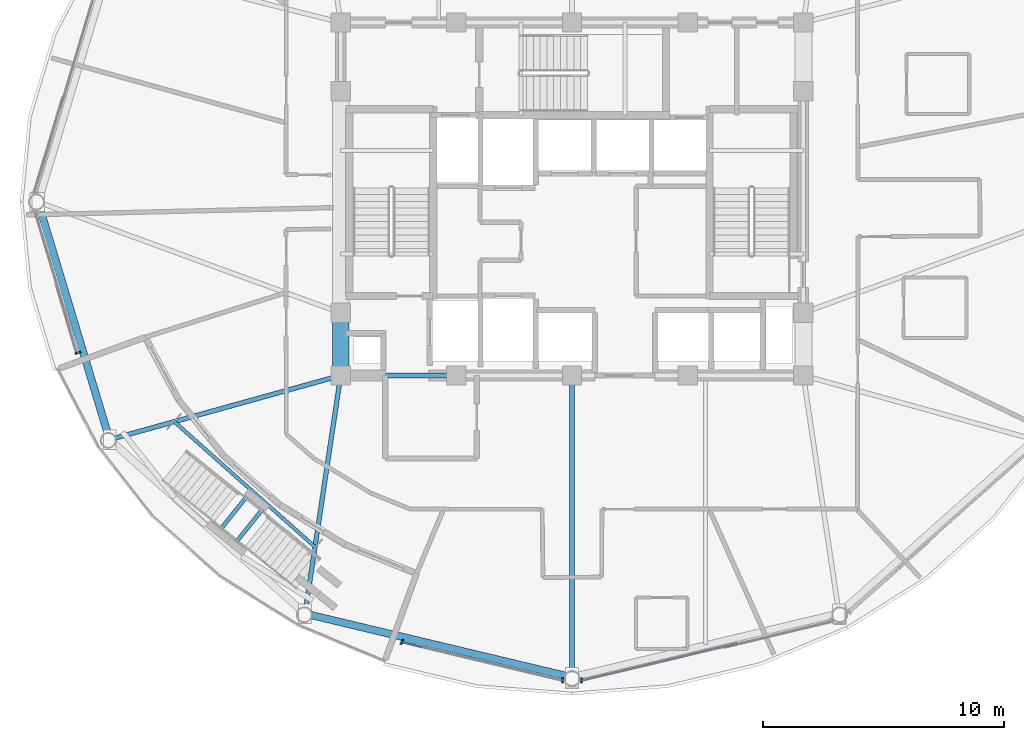
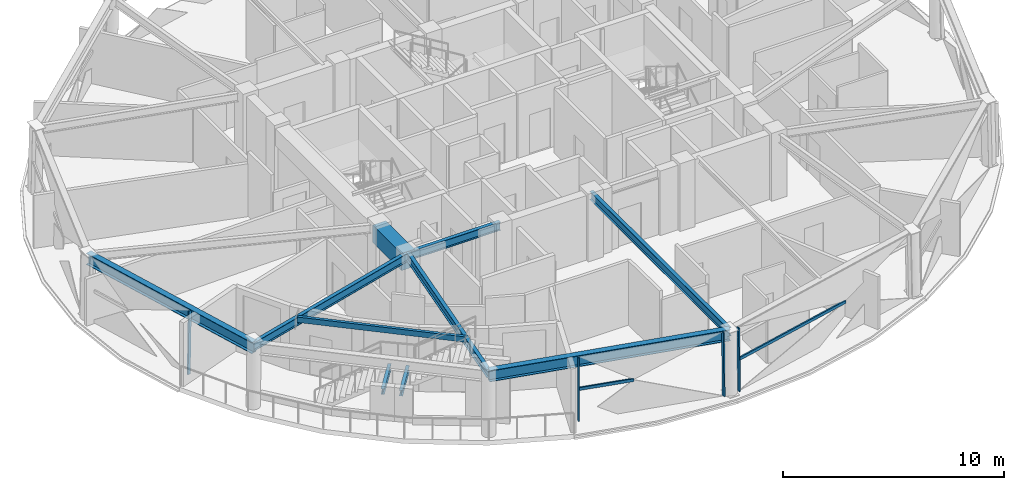
# One storey, part 2 of 17: 10 beams, 6 members, 3 elements without a shape of their own.
"""IFC4 building model written with IfcOpenShell, lengths in metres."""

import ifcopenshell
import ifcopenshell.guid

model = None  # the IFC model being written
_history = None  # IfcOwnerHistory: only IFC2X3 demands one
_inside = {}  # id of a spatial element -> (the spatial element, [elements in it])
_under = {}  # id of a project, library or spatial element -> (it, [spatial elements below it])
_declared = {}  # id of a project -> (the project, [libraries it declares])
_typed = {}  # id of a type object -> (the type object, [elements of that type])
_made_of = {}  # id of a material, layer set ... -> (it, [elements and type objects made of it])


def new_model(schema):
    """Start an empty IFC model of exactly this schema.

    Asked for "IFC4X3", IfcOpenShell would pick the latest addendum, in which some entities
    have other attributes; the version numbers below select the first issue.
    IFC2X3 requires an IfcOwnerHistory on every rooted entity: one is made here for all.
    """
    global model, _history
    if schema == "IFC4X3":
        model = ifcopenshell.file(schema_version=(4, 3, 0, 0))
    else:
        model = ifcopenshell.file(schema=schema)
    _inside.clear()
    _under.clear()
    _declared.clear()
    _typed.clear()
    _made_of.clear()
    _history = None
    if model.schema == "IFC2X3":
        org = make("IfcOrganization", Name="unknown")
        user = make(
            "IfcPersonAndOrganization",
            ThePerson=make("IfcPerson", FamilyName="unknown"),
            TheOrganization=org,
        )
        app = make(
            "IfcApplication",
            ApplicationDeveloper=org,
            Version="unknown",
            ApplicationFullName="unknown",
            ApplicationIdentifier="unknown",
        )
        _history = make(
            "IfcOwnerHistory",
            OwningUser=user,
            OwningApplication=app,
            ChangeAction="ADDED",
            CreationDate=0,
        )
    return model


def make(cls, **values):
    """One entity of the class cls with the attributes given. An attribute that is None is left unset."""
    return model.create_entity(
        cls, **{name: value for name, value in values.items() if value is not None}
    )


def rooted(cls, **values):
    """An entity with a GlobalId (a new one), such as an element, a storey or a relation."""
    return make(cls, GlobalId=ifcopenshell.guid.new(), OwnerHistory=_history, **values)


def si_unit(unit_type, name, prefix=None):
    """IfcSIUnit, for example si_unit("LENGTHUNIT", "METRE", prefix="MILLI")."""
    return make("IfcSIUnit", UnitType=unit_type, Prefix=prefix, Name=name)


def assignment(units):
    """IfcUnitAssignment: the units of a project."""
    return None if units is None else make("IfcUnitAssignment", Units=units)


def point(xyz):
    """IfcCartesianPoint."""
    return None if xyz is None else make("IfcCartesianPoint", Coordinates=xyz)


def direction(xyz):
    """IfcDirection."""
    return None if xyz is None else make("IfcDirection", DirectionRatios=xyz)


def frame(location, z_axis=None, x_axis=None):
    """IfcAxis2Placement3D, a coordinate frame: its origin and axes. An axis left out is left unset."""
    return make(
        "IfcAxis2Placement3D",
        Location=point(location),
        Axis=direction(z_axis),
        RefDirection=direction(x_axis),
    )


def frame_2d(location, x_axis=None):
    """IfcAxis2Placement2D, a coordinate frame in the plane: its origin and x axis."""
    return make(
        "IfcAxis2Placement2D", Location=point(location), RefDirection=direction(x_axis)
    )


def origin():
    """The frame at (0, 0, 0) with its axes left unset."""
    return frame((0.0, 0.0, 0.0))


def origin_2d():
    """The frame at (0, 0) in the plane with its x axis left unset."""
    return frame_2d((0.0, 0.0))


def place(relative_to, where):
    """IfcLocalPlacement: puts the frame where relative to a parent placement (None: the world)."""
    return make(
        "IfcLocalPlacement", PlacementRelTo=relative_to, RelativePlacement=where
    )


def context(
    kind, dimensions, precision=None, world=None, true_north=None, identifier=None
):
    """IfcGeometricRepresentationContext, for example the 3D "Model" context."""
    return make(
        "IfcGeometricRepresentationContext",
        ContextIdentifier=identifier,
        ContextType=kind,
        CoordinateSpaceDimension=dimensions,
        Precision=precision,
        WorldCoordinateSystem=world,
        TrueNorth=true_north,
    )


def subcontext(parent, identifier, kind, view, scale=None):
    """IfcGeometricRepresentationSubContext, for example "Body" below "Model"."""
    return make(
        "IfcGeometricRepresentationSubContext",
        ContextIdentifier=identifier,
        ContextType=kind,
        ParentContext=parent,
        TargetScale=scale,
        TargetView=view,
    )


def project(units=None, contexts=None):
    """IfcProject with its units and contexts."""
    return rooted(
        "IfcProject",
        Name="project",
        RepresentationContexts=contexts,
        UnitsInContext=assignment(units),
    )


def spatial(cls, under=None, at=None, **own):
    """A site, building, storey or space (cls), placed at a placement, below another one or the project."""
    s = rooted(cls, ObjectPlacement=at, **own)
    if under is not None:
        _under.setdefault(under.id(), (under, []))[1].append(s)
    return s


def profile(cls, at=None, kind="AREA", **sizes):
    """A parametric profile (cls). Its sizes go by their IFC names, for example OverallWidth=200.0."""
    return make(cls, ProfileType=kind, Position=at, **sizes)


def rectangle(**sizes):
    """IfcRectangleProfileDef."""
    return profile("IfcRectangleProfileDef", **sizes)


def hollow_rectangle(**sizes):
    """IfcRectangleHollowProfileDef."""
    return profile("IfcRectangleHollowProfileDef", **sizes)


def i_section(**sizes):
    """IfcIShapeProfileDef."""
    return profile("IfcIShapeProfileDef", **sizes)


def extrude(swept, where, along, depth):
    """IfcExtrudedAreaSolid: the profile swept, set in the frame where, extruded along a direction by depth."""
    return make(
        "IfcExtrudedAreaSolid",
        SweptArea=swept,
        Position=where,
        ExtrudedDirection=direction(along),
        Depth=depth,
    )


def shape(context_of_items, identifier, shape_type, items):
    """IfcShapeRepresentation: the items that make up one representation, for example the "Body"."""
    return make(
        "IfcShapeRepresentation",
        ContextOfItems=context_of_items,
        RepresentationIdentifier=identifier,
        RepresentationType=shape_type,
        Items=items,
    )


def material(Name=None, Category=None):
    """IfcMaterial."""
    return make("IfcMaterial", Name=Name, Category=Category)


def layer(
    of_material, thickness, ventilated=None, Name=None, Category=None, Priority=None
):
    """IfcMaterialLayer: one layer of a wall or slab, of a material (None: an air gap)."""
    return make(
        "IfcMaterialLayer",
        Material=of_material,
        LayerThickness=thickness,
        IsVentilated=ventilated,
        Name=Name,
        Category=Category,
        Priority=Priority,
    )


def layer_set(layers, Name=None):
    """IfcMaterialLayerSet."""
    return make("IfcMaterialLayerSet", MaterialLayers=layers, LayerSetName=Name)


def material_profile(
    of_material, cross_section, Name=None, Category=None, Priority=None
):
    """IfcMaterialProfile: a cross section and its material."""
    return make(
        "IfcMaterialProfile",
        Name=Name,
        Material=of_material,
        Profile=cross_section,
        Priority=Priority,
        Category=Category,
    )


def profile_set(profiles, Name=None, composite=None):
    """IfcMaterialProfileSet."""
    return make(
        "IfcMaterialProfileSet",
        Name=Name,
        MaterialProfiles=profiles,
        CompositeProfile=composite,
    )


def made_of(thing, what):
    """Note that an element or type object is made of a material, layer set ...; save() writes the relation."""
    if what is not None:
        _made_of.setdefault(what.id(), (what, []))[1].append(thing)
    return thing


def type_object(cls, material=None, **own):
    """A type object (cls), such as IfcWallType, which elements share."""
    return made_of(rooted(cls, **own), material)


def element(
    cls,
    number,
    at=None,
    inside=None,
    cuts=None,
    type_object=None,
    material=None,
    context=None,
    identifier="Body",
    shape_type=None,
    held_by="IfcProductDefinitionShape",
    body=None,
    shapes=None,
    **own,
):
    """One element of the class cls, such as IfcWall. Its Tag is "e" and its number.

    at: its placement. inside: the storey or other place that contains it. cuts: it is an
    opening in that element (IfcRelVoidsElement). A single representation is given by context,
    identifier, shape_type and body (its items); several are given by shapes. held_by: the class
    of the entity that holds the representations. save() writes the other relations.
    """
    e = rooted(cls, Tag="e%d" % number, ObjectPlacement=at, **own)
    if body is not None:
        shapes = [shape(context, identifier, shape_type, body)]
    if shapes is not None:
        e.Representation = make(held_by, Representations=shapes)
    if inside is not None:
        _inside.setdefault(inside.id(), (inside, []))[1].append(e)
    if cuts is not None:
        rooted(
            "IfcRelVoidsElement", RelatingBuildingElement=cuts, RelatedOpeningElement=e
        )
    if type_object is not None:
        _typed.setdefault(type_object.id(), (type_object, []))[1].append(e)
    return made_of(e, material)


def aggregate(whole, parts):
    """IfcRelAggregates: a whole, such as a stair, and the parts it consists of."""
    return rooted("IfcRelAggregates", RelatingObject=whole, RelatedObjects=parts)


def save(model, path):
    """Write the relations noted so far, then the file.

    IfcRelAggregates (storeys below a building ...), IfcRelContainedInSpatialStructure (elements
    in a storey), IfcRelDefinesByType, IfcRelAssociatesMaterial and IfcRelDeclares: one each for
    every whole, place, type object, material and project.
    """
    for whole, parts in _under.values():
        aggregate(whole, parts)
    for where, things in _inside.values():
        rooted(
            "IfcRelContainedInSpatialStructure",
            RelatedElements=things,
            RelatingStructure=where,
        )
    for kind, things in _typed.values():
        rooted("IfcRelDefinesByType", RelatedObjects=things, RelatingType=kind)
    for what, things in _made_of.values():
        rooted("IfcRelAssociatesMaterial", RelatedObjects=things, RelatingMaterial=what)
    for by, libraries in _declared.values():
        rooted("IfcRelDeclares", RelatingContext=by, RelatedDefinitions=libraries)
    model.write(path)


model = new_model("IFC4")

# Units and contexts
model_context = context("Model", 3, precision=1e-05, world=origin(), true_north=direction((0.0, 1.0)))
body_context = subcontext(model_context, "Body", "Model", "MODEL_VIEW")
ifc_project = project(units=[si_unit("LENGTHUNIT", "METRE"), si_unit("AREAUNIT", "SQUARE_METRE"), si_unit("VOLUMEUNIT", "CUBIC_METRE"), si_unit("PLANEANGLEUNIT", "RADIAN"), si_unit("MASSUNIT", "GRAM", prefix="KILO")], contexts=[model_context])

# Site, building, storey
site_placement = place(None, origin())
site = spatial("IfcSite", under=ifc_project, at=site_placement, CompositionType="ELEMENT")
building_placement = place(site_placement, origin())
building = spatial("IfcBuilding", under=site, at=building_placement, Name="Vantalir Tower", CompositionType="ELEMENT")
storey_placement = place(building_placement, frame((0.0, 0.0, 208.64990234375)))
storey = spatial("IfcBuildingStorey", under=building, at=storey_placement, Name="L52", CompositionType="ELEMENT", Elevation=208.64990234375)

# Beams
ifc_material_1 = material(Name="Concrete C60/75", Category="concrete")
ifc_material_profile_1 = material_profile(ifc_material_1, rectangle(XDim=0.699951171875, YDim=0.949951171875, at=origin_2d()), Name="Concrete C60/75")
ifc_profile_set_1 = profile_set([ifc_material_profile_1], Name="Concrete C60/75")
beam_type_1 = type_object("IfcBeamType", Name="BM-CB-700x950", PredefinedType="USERDEFINED", material=ifc_profile_set_1)
beam_1_placement = place(storey_placement, frame((21.89990234375, 20.39990234375, 3.09521484375), z_axis=(0.0, -1.0, 0.0), x_axis=(1.0, 0.0, 0.0)))
element("IfcBeam", 1, at=beam_1_placement, inside=storey, type_object=beam_type_1, Name="L52 Core Coupling Girder 14", ObjectType="GIRDER", PredefinedType="USERDEFINED", context=body_context, shape_type="SweptSolid", body=[
    extrude(rectangle(XDim=0.699951171875, YDim=0.949951171875, at=origin_2d()), origin(), (0.0, 0.0, 1.0), 2.599853515625),
])
ifc_material_2 = material(Name="Steel S355", Category="steel")
ifc_material_profile_2 = material_profile(ifc_material_2, i_section(OverallWidth=0.166015625, OverallDepth=0.306884765625, WebThickness=0.006591796875, FlangeThickness=0.01171875, at=origin_2d()), Name="Steel S355")
ifc_profile_set_2 = profile_set([ifc_material_profile_2], Name="Steel S355")
beam_type_2 = type_object("IfcBeamType", Name="BM-JS-305x165", PredefinedType="JOIST", material=ifc_profile_set_2)
for number, where, z_axis, x_axis, name in (
    (2, (16.819091796875, 11.302978515625, 1.522216796875), (0.627418659681, 0.778682108106, 0.0), (-0.778682108106, 0.627418659681, 0.0), "L52 Sky Garden Stair SG3 Mid-Landing Bearer 1"),
    (3, (17.472900390625, 10.77587890625, 1.522216796875), (0.62749155919, 0.778623364115, 0.0), (-0.778623364115, 0.62749155919, 0.0), "L52 Sky Garden Stair SG3 Mid-Landing Bearer 2"),
):
    element("IfcBeam", number, at=place(storey_placement, frame(where, z_axis=z_axis, x_axis=x_axis)), inside=storey, type_object=beam_type_2, Name=name, PredefinedType="JOIST", context=body_context, shape_type="SweptSolid", body=[
        extrude(i_section(OverallWidth=0.166015625, OverallDepth=0.306884765625, WebThickness=0.006591796875, FlangeThickness=0.01171875, at=origin_2d()), origin(), (0.0, 0.0, 1.0), 2.030517578125),
    ])
ifc_material_profile_3 = material_profile(ifc_material_2, i_section(OverallWidth=0.19189453125, OverallDepth=0.462890625, WebThickness=0.010498046875, FlangeThickness=0.017578125, at=origin_2d()), Name="Steel S355")
ifc_profile_set_3 = profile_set([ifc_material_profile_3], Name="Steel S355")
beam_type_3 = type_object("IfcBeamType", Name="BM-RB-457x191", PredefinedType="BEAM", material=ifc_profile_set_3)
beam_2_placement = place(storey_placement, frame((21.89990234375, 17.800048828125, 3.338134765625), z_axis=(1.0, 0.0, 0.0), x_axis=(0.0, 1.0, 0.0)))
element("IfcBeam", 4, at=beam_2_placement, inside=storey, type_object=beam_type_3, Name="L52 Core Coupling Girder 01", PredefinedType="BEAM", context=body_context, shape_type="SweptSolid", body=[
    extrude(i_section(OverallWidth=0.19189453125, OverallDepth=0.462890625, WebThickness=0.010498046875, FlangeThickness=0.017578125, at=origin_2d()), origin(), (0.0, 0.0, 1.0), 4.800048828125),
])
beam_3_placement = place(storey_placement, frame((12.30810546875, 15.135986328125, 3.338134765625), z_axis=(0.963526341713, 0.267613506434, 0.0), x_axis=(-0.267613506434, 0.963526341713, 0.0)))
element("IfcBeam", 5, at=beam_3_placement, inside=storey, type_object=beam_type_3, Name="L52 Radial Floor Beam 08", PredefinedType="BEAM", context=body_context, shape_type="SweptSolid", body=[
    extrude(i_section(OverallWidth=0.19189453125, OverallDepth=0.462890625, WebThickness=0.010498046875, FlangeThickness=0.017578125, at=origin_2d()), origin(), (0.0, 0.0, 1.0), 9.954833984375),
])
beam_4_placement = place(storey_placement, frame((20.4189453125, 7.916015625, 3.338134765625), z_axis=(0.148179191472, 0.988960528643, 0.0), x_axis=(-0.988960528643, 0.148179191472, 0.0)))
element("IfcBeam", 6, at=beam_4_placement, inside=storey, type_object=beam_type_3, Name="L52 Radial Floor Beam 09", PredefinedType="BEAM", context=body_context, shape_type="SweptSolid", body=[
    extrude(i_section(OverallWidth=0.19189453125, OverallDepth=0.462890625, WebThickness=0.010498046875, FlangeThickness=0.017578125, at=origin_2d()), origin(), (0.0, 0.0, 1.0), 9.994384765625),
])
beam_5_placement = place(storey_placement, frame((31.5, 5.27294921875, 3.338134765625), z_axis=(0.0, 1.0, 0.0), x_axis=(-1.0, 0.0, 0.0)))
element("IfcBeam", 7, at=beam_5_placement, inside=storey, type_object=beam_type_3, Name="L52 Radial Floor Beam 10", PredefinedType="BEAM", context=body_context, shape_type="SweptSolid", body=[
    extrude(i_section(OverallWidth=0.19189453125, OverallDepth=0.462890625, WebThickness=0.010498046875, FlangeThickness=0.017578125, at=origin_2d()), origin(), (0.0, 0.0, 1.0), 12.527099609375),
])
ifc_material_3 = material(Name="Steel S460", Category="steel")
ifc_material_profile_4 = material_profile(ifc_material_3, i_section(OverallWidth=0.306884765625, OverallDepth=0.6201171875, WebThickness=0.01416015625, FlangeThickness=0.023681640625, at=origin_2d()), Name="Steel S460")
ifc_profile_set_4 = profile_set([ifc_material_profile_4], Name="Steel S460")
beam_type_4 = type_object("IfcBeamType", Name="BM-RG-610x305", PredefinedType="USERDEFINED", material=ifc_profile_set_4)
beam_6_placement = place(storey_placement, frame((9.339111328125, 25.0, 3.260009765625), z_axis=(0.288219677626, -0.957564315035, 0.0), x_axis=(0.957564315035, 0.288219677626, 0.0)))
element("IfcBeam", 8, at=beam_6_placement, inside=storey, type_object=beam_type_4, Name="L52 Circumferential Ring Girder 07", ObjectType="GIRDER", PredefinedType="USERDEFINED", context=body_context, shape_type="SweptSolid", body=[
    extrude(i_section(OverallWidth=0.306884765625, OverallDepth=0.6201171875, WebThickness=0.01416015625, FlangeThickness=0.023681640625, at=origin_2d()), origin(), (0.0, 0.0, 1.0), 10.30126953125),
])
beam_7_placement = place(storey_placement, frame((20.4189453125, 7.916015625, 3.260009765625), z_axis=(0.9727127772, -0.232012614038, 0.0), x_axis=(0.232012614038, 0.9727127772, 0.0)))
element("IfcBeam", 9, at=beam_7_placement, inside=storey, type_object=beam_type_4, Name="L52 Circumferential Ring Girder 09", ObjectType="GIRDER", PredefinedType="USERDEFINED", context=body_context, shape_type="SweptSolid", body=[
    extrude(i_section(OverallWidth=0.306884765625, OverallDepth=0.6201171875, WebThickness=0.01416015625, FlangeThickness=0.023681640625, at=origin_2d()), origin(), (0.0, 0.0, 1.0), 11.391845703125),
])
ifc_material_profile_5 = material_profile(ifc_material_2, hollow_rectangle(XDim=0.14990234375, YDim=0.300048828125, WallThickness=0.011962890625, at=origin_2d()), Name="Steel S355")
ifc_profile_set_5 = profile_set([ifc_material_profile_5], Name="Steel S355")
beam_type_5 = type_object("IfcBeamType", Name="BM-SP-300x150", PredefinedType="LINTEL", material=ifc_profile_set_5)
beam_8_placement = place(storey_placement, frame((14.993896484375, 15.882080078125, 3.420166015625), z_axis=(0.746976722758, -0.664850190387, 0.0), x_axis=(0.664850190387, 0.746976722758, 0.0)))
element("IfcBeam", 10, at=beam_8_placement, inside=storey, type_object=beam_type_5, Name="L52 SG3 Recessed Edge Lintel 1", PredefinedType="LINTEL", context=body_context, shape_type="SweptSolid", body=[
    extrude(hollow_rectangle(XDim=0.14990234375, YDim=0.300048828125, WallThickness=0.011962890625, at=origin_2d()), origin(), (0.0, 0.0, 1.0), 7.818359375),
])

# Curtain wall, member
ifc_material_4 = material(Name="Champagne-silver PVDF aluminium and double-silver Low-E glass", Category="aluminium")
ifc_layer = layer(ifc_material_4, 0.2099609375)
ifc_layer_set = layer_set([ifc_layer], Name="Champagne-silver PVDF aluminium and double-silver Low-E glass")
curtain_wall_type = type_object("IfcCurtainWallType", Name="CW-DIAMOND-Z3", PredefinedType="USERDEFINED", material=ifc_layer_set)
curtain_wall_1_placement = place(storey_placement, origin())
curtain_wall_1 = element("IfcCurtainWall", 11, at=curtain_wall_1_placement, inside=storey, type_object=curtain_wall_type, Name="L52 Quilted Pyramid-Diamond Curtain Wall S07", ObjectType="UNITISED CURTAIN WALL", PredefinedType="USERDEFINED")
ifc_material_5 = material(Name="Champagne-silver PVDF aluminium 6063-T6", Category="aluminium")
ifc_material_profile_6 = material_profile(ifc_material_5, hollow_rectangle(XDim=0.070068359375, YDim=0.1650390625, WallThickness=0.00390625, at=origin_2d()), Name="Champagne-silver PVDF aluminium 6063-T6")
ifc_profile_set_6 = profile_set([ifc_material_profile_6], Name="Champagne-silver PVDF aluminium 6063-T6")
member_type_1 = type_object("IfcMemberType", Name="CWM-165x70", PredefinedType="MULLION", material=ifc_profile_set_6)
member_1_placement = place(storey_placement, frame((10.9609375, 18.73095703125, 0.045166015625), z_axis=(0.019008393155, 0.006312750494, 0.999799394964), x_axis=(-0.315176982169, 0.949032912976, 0.0)))
member_1 = element("IfcMember", 12, at=member_1_placement, type_object=member_type_1, Name="CW-L52-S07 Mullion 2", PredefinedType="MULLION", context=body_context, shape_type="SweptSolid", body=[
    extrude(hollow_rectangle(XDim=0.070068359375, YDim=0.1650390625, WallThickness=0.00390625, at=origin_2d()), origin(), (0.0, 0.0, 1.0), 3.480712890625),
])
aggregate(curtain_wall_1, [member_1])

# Curtain wall, members
curtain_wall_2_placement = place(storey_placement, origin())
curtain_wall_2 = element("IfcCurtainWall", 13, at=curtain_wall_2_placement, inside=storey, type_object=curtain_wall_type, Name="L52 Quilted Pyramid-Diamond Curtain Wall S09", ObjectType="UNITISED CURTAIN WALL", PredefinedType="USERDEFINED")
member_2_placement = place(storey_placement, frame((24.424072265625, 6.7060546875, 0.045166015625), z_axis=(0.006874077, 0.017255336144, 0.999827485339), x_axis=(-0.928996661722, 0.370088101011, 0.0)))
member_2 = element("IfcMember", 14, at=member_2_placement, type_object=member_type_1, Name="CW-L52-S09 Mullion 1", PredefinedType="MULLION", context=body_context, shape_type="SweptSolid", body=[
    extrude(hollow_rectangle(XDim=0.070068359375, YDim=0.1650390625, WallThickness=0.00390625, at=origin_2d()), origin(), (0.0, 0.0, 1.0), 3.48046875),
])
member_3_placement = place(storey_placement, frame((31.10107421875, 5.112060546875, 0.045166015625), z_axis=(0.0, 0.018938654052, 0.999820647608), x_axis=(-1.0, 0.0, 0.0)))
member_3 = element("IfcMember", 15, at=member_3_placement, type_object=member_type_1, Name="CW-L52-S09 Mullion 2", PredefinedType="MULLION", context=body_context, shape_type="SweptSolid", body=[
    extrude(hollow_rectangle(XDim=0.070068359375, YDim=0.1650390625, WallThickness=0.00390625, at=origin_2d()), origin(), (0.0, 0.0, 1.0), 3.480712890625),
])

# Curtain wall, member
curtain_wall_3_placement = place(storey_placement, origin())
curtain_wall_3 = element("IfcCurtainWall", 16, at=curtain_wall_3_placement, inside=storey, type_object=curtain_wall_type, Name="L52 Quilted Pyramid-Diamond Curtain Wall S10", ObjectType="UNITISED CURTAIN WALL", PredefinedType="USERDEFINED")
member_4_placement = place(storey_placement, frame((31.89892578125, 5.112060546875, 0.045166015625), z_axis=(0.0, 0.018938654052, 0.999820647608), x_axis=(-1.0, 0.0, 0.0)))
member_4 = element("IfcMember", 17, at=member_4_placement, type_object=member_type_1, Name="CW-L52-S10 Mullion 1", PredefinedType="MULLION", context=body_context, shape_type="SweptSolid", body=[
    extrude(hollow_rectangle(XDim=0.070068359375, YDim=0.1650390625, WallThickness=0.00390625, at=origin_2d()), origin(), (0.0, 0.0, 1.0), 3.480712890625),
])

# Member
ifc_material_profile_7 = material_profile(ifc_material_5, hollow_rectangle(XDim=0.074951171875, YDim=0.159912109375, WallThickness=0.00390625, at=origin_2d()), Name="Champagne-silver PVDF aluminium 6063-T6")
ifc_profile_set_7 = profile_set([ifc_material_profile_7], Name="Champagne-silver PVDF aluminium 6063-T6")
member_type_2 = type_object("IfcMemberType", Name="CWT-160x75", PredefinedType="USERDEFINED", material=ifc_profile_set_7)
member_5_placement = place(storey_placement, frame((24.43603515625, 6.736083984375, 1.78515625), z_axis=(0.970461558326, -0.241255805756, 0.0), x_axis=(0.241255805756, 0.970461558326, 0.0)))
member_5 = element("IfcMember", 18, at=member_5_placement, type_object=member_type_2, Name="CW-L52-S09 Pyramid Fold Ridge Transom", ObjectType="TRANSOM", PredefinedType="USERDEFINED", context=body_context, shape_type="SweptSolid", body=[
    extrude(hollow_rectangle(XDim=0.074951171875, YDim=0.159912109375, WallThickness=0.00390625, at=origin_2d()), origin(), (0.0, 0.0, 1.0), 2.603759765625),
])

aggregate(curtain_wall_2, [member_2, member_3, member_5])

member_6_placement = place(storey_placement, frame((31.89892578125, 5.14501953125, 1.78515625), z_axis=(0.973468334843, 0.228821767011, 0.0), x_axis=(-0.228821767011, 0.973468334843, 0.0)))
member_6 = element("IfcMember", 19, at=member_6_placement, type_object=member_type_2, Name="CW-L52-S10 Pyramid Fold Ridge Transom", ObjectType="TRANSOM", PredefinedType="USERDEFINED", context=body_context, shape_type="SweptSolid", body=[
    extrude(hollow_rectangle(XDim=0.074951171875, YDim=0.159912109375, WallThickness=0.00390625, at=origin_2d()), origin(), (0.0, 0.0, 1.0), 6.630126953125),
])

aggregate(curtain_wall_3, [member_4, member_6])

save(model, "model.ifc")
